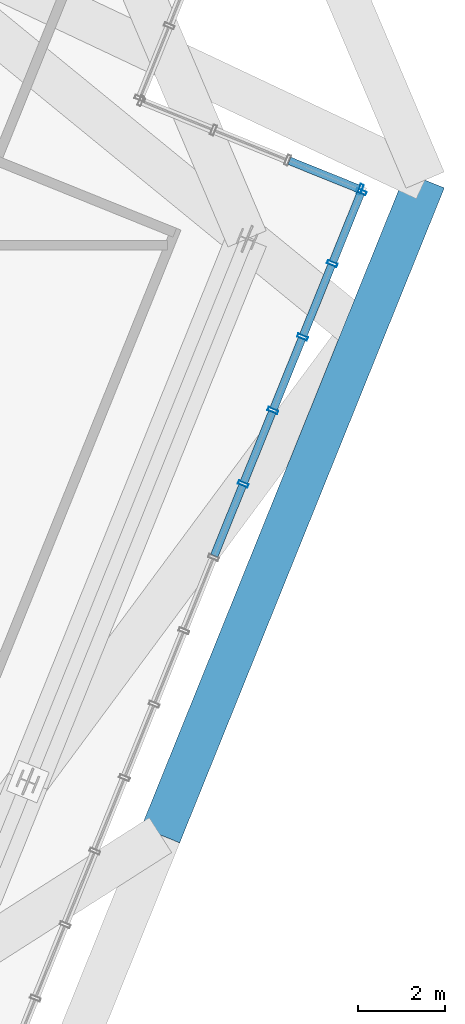
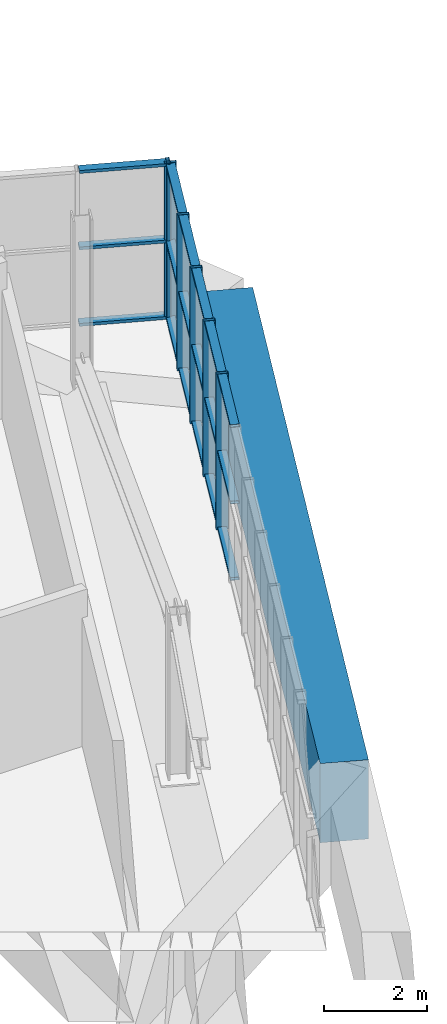
# One storey, part 17 of 35: 24 members, 1 beam, 2 elements without a shape of their own.
"""IFC4 building model written with IfcOpenShell, lengths in metres."""

from ifc_helpers import new_model, si_unit, direction, frame, origin, origin_2d, place, context, subcontext, project, spatial, rectangle, hollow_rectangle, extrude, source, transform, mapped, material, layer, layer_set, material_profile, profile_set, type_object, element, aggregate, save


model = new_model("IFC4")

# Units and contexts
model_context = context("Model", 3, precision=1e-05, world=origin(), true_north=direction((0.0, 1.0)))
body_context = subcontext(model_context, "Body", "Model", "MODEL_VIEW")
ifc_project = project(units=[si_unit("LENGTHUNIT", "METRE"), si_unit("AREAUNIT", "SQUARE_METRE"), si_unit("VOLUMEUNIT", "CUBIC_METRE"), si_unit("PLANEANGLEUNIT", "RADIAN"), si_unit("MASSUNIT", "GRAM", prefix="KILO"), si_unit("THERMODYNAMICTEMPERATUREUNIT", "KELVIN")], contexts=[model_context])

# Site, building, storey
site_placement = place(None, origin())
site = spatial("IfcSite", under=ifc_project, at=site_placement, CompositionType="ELEMENT")
building_placement = place(site_placement, origin())
building = spatial("IfcBuilding", under=site, at=building_placement, Name="Kosmvard Interchange Tower", CompositionType="ELEMENT")
storey_placement = place(building_placement, frame((0.0, 0.0, 321.60009765625)))
storey = spatial("IfcBuildingStorey", under=building, at=storey_placement, Name="L79", CompositionType="ELEMENT", Elevation=321.60009765625)

# Beam
ifc_material_1 = material(Name="Concrete C60/75", Category="concrete")
ifc_material_profile_1 = material_profile(ifc_material_1, rectangle(XDim=0.949951171875, YDim=1.8798828125, at=origin_2d()), Name="TG 950x1880")
ifc_profile_set_1 = profile_set([ifc_material_profile_1], Name="Concrete C60/75")
beam_type = type_object("IfcBeamType", Name="Upper Long-Span Transfer Girder 950x1880 C60/75", PredefinedType="USERDEFINED", material=ifc_profile_set_1)
shared_shape_1 = source(origin(), body_context, "Body", "SweptSolid", [
    extrude(rectangle(XDim=0.949951171875, YDim=1.8798828125, at=origin_2d()), origin(), (0.0, 0.0, 1.0), 16.1748046875),
])
beam_placement = place(storey_placement, frame((20.560302734375, -8.306884765625, -0.940185546875), z_axis=(0.374612782798, 0.92718135387, 0.0), x_axis=(-0.92718135387, 0.374612782798, 0.0)))
element("IfcBeam", 1, at=beam_placement, inside=storey, type_object=beam_type, Name="BM-L79-LR02", ObjectType="TRANSFER_GIRDER", PredefinedType="USERDEFINED", context=body_context, shape_type="MappedRepresentation", body=[
    mapped(shared_shape_1, transform((0.0, 0.0, 0.0), scale=1.0)),
])

# Curtain wall, members
ifc_material_2 = material(Name="Architectural anodised aluminium", Category="aluminium")
ifc_layer = layer(ifc_material_2, 0.25, Name="Architectural anodised aluminium")
ifc_layer_set = layer_set([ifc_layer], Name="Architectural anodised aluminium")
curtain_wall_type = type_object("IfcCurtainWallType", Name="CW-6 Illuminated Crown Lantern Curtain Wall", PredefinedType="NOTDEFINED", material=ifc_layer_set)
curtain_wall_1_placement = place(storey_placement, origin())
curtain_wall_1 = element("IfcCurtainWall", 2, at=curtain_wall_1_placement, inside=storey, type_object=curtain_wall_type, Name="L79 Crown Lantern Glazing Face 01", PredefinedType="NOTDEFINED")
ifc_material_profile_2 = material_profile(ifc_material_2, hollow_rectangle(XDim=0.239990234375, YDim=0.080078125, WallThickness=0.006103515625, at=origin_2d()), Name="CWM 240x80x6")
ifc_profile_set_2 = profile_set([ifc_material_profile_2], Name="Architectural anodised aluminium")
member_type_1 = type_object("IfcMemberType", Name="Lantern & Observation CW Mullion 240x80 Aluminium", PredefinedType="MULLION", material=ifc_profile_set_2)
shared_shape_2 = source(origin(), body_context, "Body", "SweptSolid", [
    extrude(hollow_rectangle(XDim=0.239990234375, YDim=0.080078125, WallThickness=0.006103515625, at=origin_2d()), origin(), (0.0, 0.0, 1.0), 3.699951171875),
])
member_1_placement = place(storey_placement, frame((22.454833984375, -0.267578125, 0.0), z_axis=(0.0, 0.0, 1.0), x_axis=(-0.927183858065, 0.374606584758, 0.0)))
member_1 = element("IfcMember", 3, at=member_1_placement, type_object=member_type_1, Name="CW-6 mullion 14", PredefinedType="MULLION", context=body_context, shape_type="MappedRepresentation", body=[
    mapped(shared_shape_2, transform((0.0, 0.0, 0.0), scale=1.0)),
])
member_2_placement = place(storey_placement, frame((23.13427734375, 1.414306640625, 0.0), z_axis=(0.0, 0.0, 1.0), x_axis=(-0.927183858065, 0.374606584758, 0.0)))
member_2 = element("IfcMember", 4, at=member_2_placement, type_object=member_type_1, Name="CW-6 mullion 15", PredefinedType="MULLION", context=body_context, shape_type="MappedRepresentation", body=[
    mapped(shared_shape_2, transform((0.0, 0.0, 0.0), scale=1.0)),
])
member_3_placement = place(storey_placement, frame((23.81396484375, 3.096435546875, 0.0), z_axis=(0.0, 0.0, 1.0), x_axis=(-0.927183858065, 0.374606584758, 0.0)))
member_3 = element("IfcMember", 5, at=member_3_placement, type_object=member_type_1, Name="CW-6 mullion 16", PredefinedType="MULLION", context=body_context, shape_type="MappedRepresentation", body=[
    mapped(shared_shape_2, transform((0.0, 0.0, 0.0), scale=1.0)),
])
member_4_placement = place(storey_placement, frame((24.49365234375, 4.7783203125, 0.0), z_axis=(0.0, 0.0, 1.0), x_axis=(-0.927183858065, 0.374606584758, 0.0)))
member_4 = element("IfcMember", 6, at=member_4_placement, type_object=member_type_1, Name="CW-6 mullion 17", PredefinedType="MULLION", context=body_context, shape_type="MappedRepresentation", body=[
    mapped(shared_shape_2, transform((0.0, 0.0, 0.0), scale=1.0)),
])
member_5_placement = place(storey_placement, frame((25.158203125, 6.42333984375, 0.0), z_axis=(0.0, 0.0, 1.0), x_axis=(-0.927183858065, 0.374606584758, 0.0)))
member_5 = element("IfcMember", 7, at=member_5_placement, type_object=member_type_1, Name="CW-6 mullion 18", PredefinedType="MULLION", context=body_context, shape_type="MappedRepresentation", body=[
    mapped(shared_shape_2, transform((0.0, 0.0, 0.0), scale=1.0)),
])

# Curtain wall, member
curtain_wall_2_placement = place(storey_placement, origin())
curtain_wall_2 = element("IfcCurtainWall", 8, at=curtain_wall_2_placement, inside=storey, type_object=curtain_wall_type, Name="L79 Crown Lantern Glazing Face 02", PredefinedType="NOTDEFINED")
member_6_placement = place(storey_placement, frame((25.135986328125, 6.475341796875, 0.0), z_axis=(0.0, 0.0, 1.0), x_axis=(-0.374606564822, -0.92718386612, 0.0)))
member_6 = element("IfcMember", 9, at=member_6_placement, type_object=member_type_1, Name="CW-6 mullion 1", PredefinedType="MULLION", context=body_context, shape_type="MappedRepresentation", body=[
    mapped(shared_shape_2, transform((0.0, 0.0, 0.0), scale=1.0)),
])

# Member
ifc_material_profile_3 = material_profile(ifc_material_2, hollow_rectangle(XDim=0.179931640625, YDim=0.070068359375, WallThickness=0.0048828125, at=origin_2d()), Name="CWT 180x70x5")
ifc_profile_set_3 = profile_set([ifc_material_profile_3], Name="Architectural anodised aluminium")
member_type_2 = type_object("IfcMemberType", Name="Heavy Lantern CW Transom 180x70 Aluminium", PredefinedType="USERDEFINED", material=ifc_profile_set_3)
shared_shape_3 = source(origin(), body_context, "Body", "SweptSolid", [
    extrude(hollow_rectangle(XDim=0.179931640625, YDim=0.070068359375, WallThickness=0.0048828125, at=origin_2d()), origin(), (0.0, 0.0, 1.0), 1.694091796875),
])
member_7_placement = place(storey_placement, frame((24.508544921875, 4.8154296875, 0.034912109375), z_axis=(0.374544061831, 0.927209116514, 0.0), x_axis=(-0.927209116514, 0.374544061831, 0.0)))
member_7 = element("IfcMember", 10, at=member_7_placement, type_object=member_type_2, Name="CW-6 transom 17.1", ObjectType="TRANSOM", PredefinedType="USERDEFINED", context=body_context, shape_type="MappedRepresentation", body=[
    mapped(shared_shape_3, transform((0.0, 0.0, 0.0), scale=1.0)),
])

member_8_placement = place(storey_placement, frame((24.508544921875, 4.8154296875, 1.849853515625), z_axis=(0.374544061831, 0.927209116514, 0.0), x_axis=(-0.927209116514, 0.374544061831, 0.0)))
member_8 = element("IfcMember", 11, at=member_8_placement, type_object=member_type_2, Name="CW-6 transom 17.2", ObjectType="TRANSOM", PredefinedType="USERDEFINED", context=body_context, shape_type="MappedRepresentation", body=[
    mapped(shared_shape_3, transform((0.0, 0.0, 0.0), scale=1.0)),
])

member_9_placement = place(storey_placement, frame((24.508544921875, 4.8154296875, 3.664794921875), z_axis=(0.374544061831, 0.927209116514, 0.0), x_axis=(-0.927209116514, 0.374544061831, 0.0)))
member_9 = element("IfcMember", 12, at=member_9_placement, type_object=member_type_2, Name="CW-6 transom 17.3", ObjectType="TRANSOM", PredefinedType="USERDEFINED", context=body_context, shape_type="MappedRepresentation", body=[
    mapped(shared_shape_3, transform((0.0, 0.0, 0.0), scale=1.0)),
])

shared_shape_4 = source(origin(), body_context, "Body", "SweptSolid", [
    extrude(hollow_rectangle(XDim=0.179931640625, YDim=0.070068359375, WallThickness=0.0048828125, at=origin_2d()), origin(), (0.0, 0.0, 1.0), 1.734130859375),
])
member_10_placement = place(storey_placement, frame((21.790283203125, -1.91259765625, 0.034912109375), z_axis=(0.374495638732, 0.927228675447, 0.0), x_axis=(-0.927228675447, 0.374495638732, 0.0)))
member_10 = element("IfcMember", 13, at=member_10_placement, type_object=member_type_2, Name="CW-6 transom 13.1", ObjectType="TRANSOM", PredefinedType="USERDEFINED", context=body_context, shape_type="MappedRepresentation", body=[
    mapped(shared_shape_4, transform((0.0, 0.0, 0.0), scale=1.0)),
])

member_11_placement = place(storey_placement, frame((21.790283203125, -1.91259765625, 1.849853515625), z_axis=(0.374495638732, 0.927228675447, 0.0), x_axis=(-0.927228675447, 0.374495638732, 0.0)))
member_11 = element("IfcMember", 14, at=member_11_placement, type_object=member_type_2, Name="CW-6 transom 13.2", ObjectType="TRANSOM", PredefinedType="USERDEFINED", context=body_context, shape_type="MappedRepresentation", body=[
    mapped(shared_shape_4, transform((0.0, 0.0, 0.0), scale=1.0)),
])

member_12_placement = place(storey_placement, frame((21.790283203125, -1.91259765625, 3.664794921875), z_axis=(0.374495638732, 0.927228675447, 0.0), x_axis=(-0.927228675447, 0.374495638732, 0.0)))
member_12 = element("IfcMember", 15, at=member_12_placement, type_object=member_type_2, Name="CW-6 transom 13.3", ObjectType="TRANSOM", PredefinedType="USERDEFINED", context=body_context, shape_type="MappedRepresentation", body=[
    mapped(shared_shape_4, transform((0.0, 0.0, 0.0), scale=1.0)),
])

member_13_placement = place(storey_placement, frame((23.1494140625, 1.451416015625, 0.034912109375), z_axis=(0.374616671924, 0.927179782522, 0.0), x_axis=(-0.927179782522, 0.374616671924, 0.0)))
member_13 = element("IfcMember", 16, at=member_13_placement, type_object=member_type_2, Name="CW-6 transom 15.1", ObjectType="TRANSOM", PredefinedType="USERDEFINED", context=body_context, shape_type="MappedRepresentation", body=[
    mapped(shared_shape_4, transform((0.0, 0.0, 0.0), scale=1.0)),
])

member_14_placement = place(storey_placement, frame((23.1494140625, 1.451416015625, 1.849853515625), z_axis=(0.374616671924, 0.927179782522, 0.0), x_axis=(-0.927179782522, 0.374616671924, 0.0)))
member_14 = element("IfcMember", 17, at=member_14_placement, type_object=member_type_2, Name="CW-6 transom 15.2", ObjectType="TRANSOM", PredefinedType="USERDEFINED", context=body_context, shape_type="MappedRepresentation", body=[
    mapped(shared_shape_4, transform((0.0, 0.0, 0.0), scale=1.0)),
])

member_15_placement = place(storey_placement, frame((23.1494140625, 1.451416015625, 3.664794921875), z_axis=(0.374616671924, 0.927179782522, 0.0), x_axis=(-0.927179782522, 0.374616671924, 0.0)))
member_15 = element("IfcMember", 18, at=member_15_placement, type_object=member_type_2, Name="CW-6 transom 15.3", ObjectType="TRANSOM", PredefinedType="USERDEFINED", context=body_context, shape_type="MappedRepresentation", body=[
    mapped(shared_shape_4, transform((0.0, 0.0, 0.0), scale=1.0)),
])

shared_shape_5 = source(origin(), body_context, "Body", "SweptSolid", [
    extrude(hollow_rectangle(XDim=0.179931640625, YDim=0.070068359375, WallThickness=0.0048828125, at=origin_2d()), origin(), (0.0, 0.0, 1.0), 1.73388671875),
])
member_16_placement = place(storey_placement, frame((22.4697265625, -0.23046875, 0.034912109375), z_axis=(0.374665576032, 0.927160021861, 0.0), x_axis=(-0.927160021861, 0.374665576032, 0.0)))
member_16 = element("IfcMember", 19, at=member_16_placement, type_object=member_type_2, Name="CW-6 transom 14.1", ObjectType="TRANSOM", PredefinedType="USERDEFINED", context=body_context, shape_type="MappedRepresentation", body=[
    mapped(shared_shape_5, transform((0.0, 0.0, 0.0), scale=1.0)),
])

member_17_placement = place(storey_placement, frame((22.4697265625, -0.23046875, 1.849853515625), z_axis=(0.374665576032, 0.927160021861, 0.0), x_axis=(-0.927160021861, 0.374665576032, 0.0)))
member_17 = element("IfcMember", 20, at=member_17_placement, type_object=member_type_2, Name="CW-6 transom 14.2", ObjectType="TRANSOM", PredefinedType="USERDEFINED", context=body_context, shape_type="MappedRepresentation", body=[
    mapped(shared_shape_5, transform((0.0, 0.0, 0.0), scale=1.0)),
])

member_18_placement = place(storey_placement, frame((22.4697265625, -0.23046875, 3.664794921875), z_axis=(0.374665576032, 0.927160021861, 0.0), x_axis=(-0.927160021861, 0.374665576032, 0.0)))
member_18 = element("IfcMember", 21, at=member_18_placement, type_object=member_type_2, Name="CW-6 transom 14.3", ObjectType="TRANSOM", PredefinedType="USERDEFINED", context=body_context, shape_type="MappedRepresentation", body=[
    mapped(shared_shape_5, transform((0.0, 0.0, 0.0), scale=1.0)),
])

member_19_placement = place(storey_placement, frame((23.828857421875, 3.133544921875, 0.034912109375), z_axis=(0.374665576032, 0.927160021861, 0.0), x_axis=(-0.927160021861, 0.374665576032, 0.0)))
member_19 = element("IfcMember", 22, at=member_19_placement, type_object=member_type_2, Name="CW-6 transom 16.1", ObjectType="TRANSOM", PredefinedType="USERDEFINED", context=body_context, shape_type="MappedRepresentation", body=[
    mapped(shared_shape_5, transform((0.0, 0.0, 0.0), scale=1.0)),
])

member_20_placement = place(storey_placement, frame((23.828857421875, 3.133544921875, 1.849853515625), z_axis=(0.374665576032, 0.927160021861, 0.0), x_axis=(-0.927160021861, 0.374665576032, 0.0)))
member_20 = element("IfcMember", 23, at=member_20_placement, type_object=member_type_2, Name="CW-6 transom 16.2", ObjectType="TRANSOM", PredefinedType="USERDEFINED", context=body_context, shape_type="MappedRepresentation", body=[
    mapped(shared_shape_5, transform((0.0, 0.0, 0.0), scale=1.0)),
])

member_21_placement = place(storey_placement, frame((23.828857421875, 3.133544921875, 3.664794921875), z_axis=(0.374665576032, 0.927160021861, 0.0), x_axis=(-0.927160021861, 0.374665576032, 0.0)))
member_21 = element("IfcMember", 24, at=member_21_placement, type_object=member_type_2, Name="CW-6 transom 16.3", ObjectType="TRANSOM", PredefinedType="USERDEFINED", context=body_context, shape_type="MappedRepresentation", body=[
    mapped(shared_shape_5, transform((0.0, 0.0, 0.0), scale=1.0)),
])

aggregate(curtain_wall_1, [member_1, member_2, member_3, member_4, member_5, member_10, member_11, member_12, member_16, member_17, member_18, member_13, member_14, member_15, member_19, member_20, member_21, member_7, member_8, member_9])

shared_shape_6 = source(origin(), body_context, "Body", "SweptSolid", [
    extrude(hollow_rectangle(XDim=0.179931640625, YDim=0.070068359375, WallThickness=0.0048828125, at=origin_2d()), origin(), (0.0, 0.0, 1.0), 1.71337890625),
])
member_22_placement = place(storey_placement, frame((25.098876953125, 6.490478515625, 0.034912109375), z_axis=(-0.927233273404, 0.374484254265, 0.0), x_axis=(-0.374484254265, -0.927233273404, 0.0)))
member_22 = element("IfcMember", 25, at=member_22_placement, type_object=member_type_2, Name="CW-6 transom 1.1", ObjectType="TRANSOM", PredefinedType="USERDEFINED", context=body_context, shape_type="MappedRepresentation", body=[
    mapped(shared_shape_6, transform((0.0, 0.0, 0.0), scale=1.0)),
])

member_23_placement = place(storey_placement, frame((25.098876953125, 6.490478515625, 1.849853515625), z_axis=(-0.927233273404, 0.374484254265, 0.0), x_axis=(-0.374484254265, -0.927233273404, 0.0)))
member_23 = element("IfcMember", 26, at=member_23_placement, type_object=member_type_2, Name="CW-6 transom 1.2", ObjectType="TRANSOM", PredefinedType="USERDEFINED", context=body_context, shape_type="MappedRepresentation", body=[
    mapped(shared_shape_6, transform((0.0, 0.0, 0.0), scale=1.0)),
])

member_24_placement = place(storey_placement, frame((25.098876953125, 6.490478515625, 3.664794921875), z_axis=(-0.927233273404, 0.374484254265, 0.0), x_axis=(-0.374484254265, -0.927233273404, 0.0)))
member_24 = element("IfcMember", 27, at=member_24_placement, type_object=member_type_2, Name="CW-6 transom 1.3", ObjectType="TRANSOM", PredefinedType="USERDEFINED", context=body_context, shape_type="MappedRepresentation", body=[
    mapped(shared_shape_6, transform((0.0, 0.0, 0.0), scale=1.0)),
])

aggregate(curtain_wall_2, [member_6, member_22, member_23, member_24])

save(model, "model.ifc")
